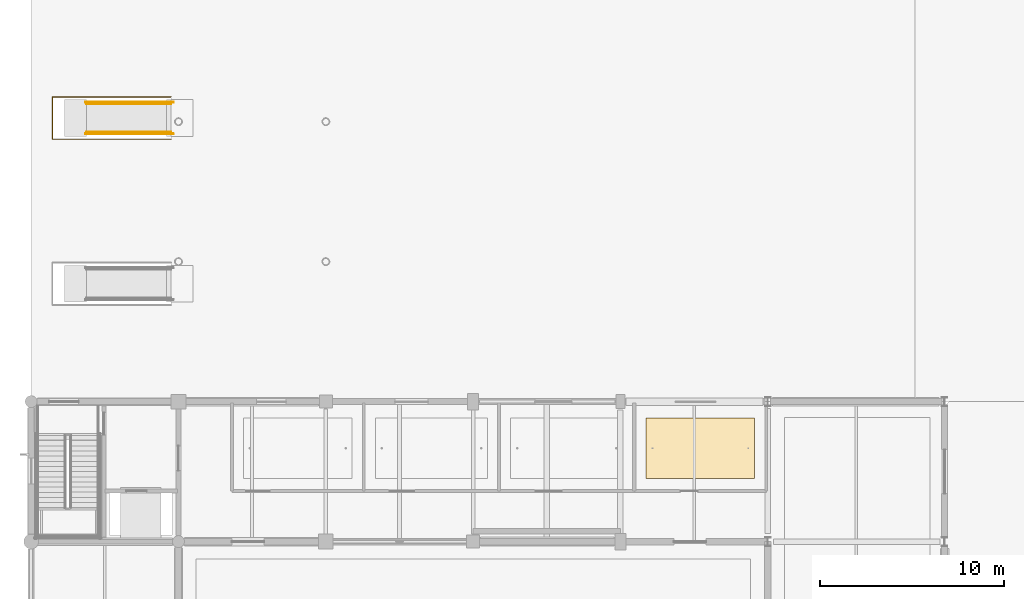
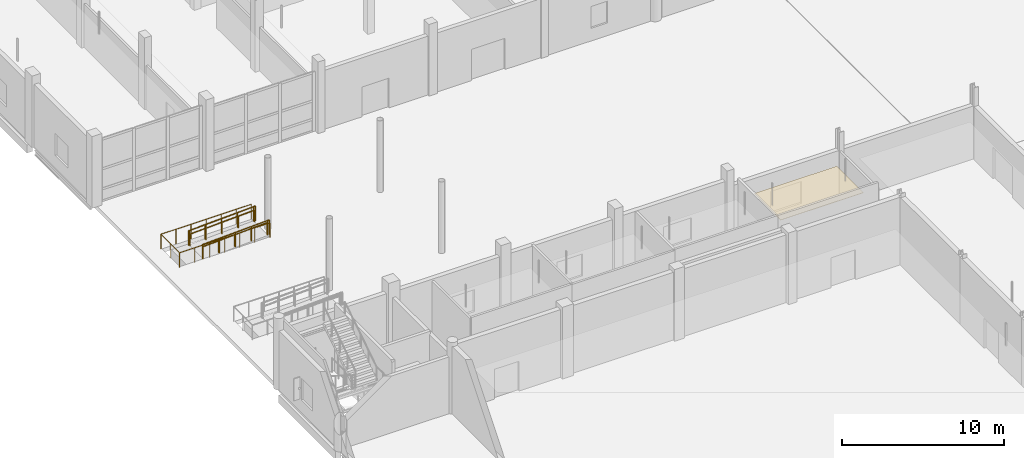
# One storey, part 113 of 126: 5 railings, 1 covering.
"""IFC4 building model written with IfcOpenShell, lengths in metres."""

from ifc_helpers import new_model, si_unit, direction, frame, origin, origin_2d, place, context, subcontext, project, spatial, polyline, circle, outline, extrude, material, layer, layer_set, type_object, element, save


model = new_model("IFC4")

# Units and contexts
model_context = context("Model", 3, precision=1e-05, world=origin(), true_north=direction((0.0, 1.0)))
body_context = subcontext(model_context, "Body", "Model", "MODEL_VIEW")
ifc_project = project(units=[si_unit("LENGTHUNIT", "METRE"), si_unit("AREAUNIT", "SQUARE_METRE"), si_unit("VOLUMEUNIT", "CUBIC_METRE"), si_unit("PLANEANGLEUNIT", "RADIAN"), si_unit("MASSUNIT", "GRAM", prefix="KILO")], contexts=[model_context])

# Site, building, storey
site_placement = place(None, origin())
site = spatial("IfcSite", under=ifc_project, at=site_placement, CompositionType="ELEMENT")
building_placement = place(site_placement, origin())
building = spatial("IfcBuilding", under=site, at=building_placement, Name="Khelvaren Railside Concert Hall", CompositionType="ELEMENT")
storey_placement = place(building_placement, origin())
storey = spatial("IfcBuildingStorey", under=building, at=storey_placement, Name="L00", CompositionType="ELEMENT", Elevation=0.0)

# Covering
ifc_material_1 = material(Name="Micro-perforated timber acoustic ceiling", Category="wood")
ifc_layer = layer(ifc_material_1, 0.030029296875)
ifc_layer_set = layer_set([ifc_layer], Name="Micro-perforated timber acoustic ceiling")
covering_type = type_object("IfcCoveringType", Name="CLG77", PredefinedType="CEILING", material=ifc_layer_set)
covering_placement = place(storey_placement, frame((0.0, 0.0, 3.419921875)))
element("IfcCovering", 1, at=covering_placement, inside=storey, type_object=covering_type, Name="Suspended Acoustic Ceiling Programme Steward Office", PredefinedType="CEILING", context=body_context, shape_type="SweptSolid", body=[
    extrude(outline(polyline([(33.386962890625, 41.429931640625), (39.2900390625, 41.429931640625), (39.2900390625, 44.719970703125), (33.386962890625, 44.719970703125), (33.386962890625, 41.429931640625)])), origin(), (0.0, 0.0, 1.0), 0.030029296875),
])

# Railings
ifc_material_2 = material(Name="Painted architectural steel", Category="steel")
railing_type_1 = type_object("IfcRailingType", Name="GRD40", PredefinedType="GUARDRAIL", material=ifc_material_2)
for number, where, name in (
    (2, (2.949951171875, 61.860107421875, -0.199951171875), "Ramp Edge Guardrail RMP-02-L"),
    (3, (2.949951171875, 60.139892578125, -0.199951171875), "Ramp Edge Guardrail RMP-02-R"),
):
    element("IfcRailing", number, at=place(storey_placement, frame(where)), inside=storey, type_object=railing_type_1, Name=name, PredefinedType="GUARDRAIL", context=body_context, shape_type="SweptSolid", body=[
        extrude(circle(Radius=0.02392578125, at=origin_2d()), frame((0.0, 0.0, 1.09619140625), z_axis=(1.0, 0.0, 0.0), x_axis=(0.0, 1.0, 0.0)), (0.0, 0.0, 1.0), 0.050048828125),
        extrude(circle(Radius=0.02392578125, at=origin_2d()), frame((0.050048828125, 0.0, 1.09619140625), z_axis=(0.999056658504, 0.0, 0.043425719314), x_axis=(0.0, 1.0, 0.0)), (0.0, 0.0, 1.0), 4.6044921875),
        extrude(circle(Radius=0.02392578125, at=origin_2d()), frame((4.650146484375, 0.0, 1.2958984375), z_axis=(1.0, 0.0, 0.0), x_axis=(0.0, 1.0, 0.0)), (0.0, 0.0, 1.0), 0.119873046875),
        extrude(circle(Radius=0.02099609375, at=origin_2d()), origin(), (0.0, 0.0, 1.0), 1.072021484375),
        extrude(circle(Radius=0.02099609375, at=origin_2d()), frame((0.050048828125, 0.0, 0.0)), (0.0, 0.0, 1.0), 1.072021484375),
        extrude(circle(Radius=0.02099609375, at=origin_2d()), frame((1.2001953125, 0.0, 0.050048828125)), (0.0, 0.0, 1.0), 1.072021484375),
        extrude(circle(Radius=0.02099609375, at=origin_2d()), frame((2.35009765625, 0.0, 0.10009765625)), (0.0, 0.0, 1.0), 1.072021484375),
        extrude(circle(Radius=0.02099609375, at=origin_2d()), frame((3.5, 0.0, 0.14990234375)), (0.0, 0.0, 1.0), 1.072021484375),
        extrude(circle(Radius=0.02099609375, at=origin_2d()), frame((4.650146484375, 0.0, 0.199951171875)), (0.0, 0.0, 1.0), 1.072021484375),
        extrude(circle(Radius=0.02099609375, at=origin_2d()), frame((4.77001953125, 0.0, 0.199951171875)), (0.0, 0.0, 1.0), 1.072021484375),
    ])
railing_placement = place(storey_placement, frame((7.60009765625, 59.85009765625, 0.0)))
element("IfcRailing", 4, at=railing_placement, inside=storey, type_object=railing_type_1, Name="Apron Ramp Pocket Guardrail RMP-02", PredefinedType="GUARDRAIL", context=body_context, shape_type="SweptSolid", body=[
    extrude(circle(Radius=0.02392578125, at=origin_2d()), frame((0.0, 0.0, 1.09619140625), z_axis=(-1.0, 0.0, 0.0), x_axis=(0.0, -1.0, 0.0)), (0.0, 0.0, 1.0), 6.4501953125),
    extrude(circle(Radius=0.02392578125, at=origin_2d()), frame((-6.4501953125, 0.0, 1.09619140625), z_axis=(0.0, 1.0, 0.0), x_axis=(-1.0, 0.0, 0.0)), (0.0, 0.0, 1.0), 2.2998046875),
    extrude(circle(Radius=0.02392578125, at=origin_2d()), frame((-6.4501953125, 2.2998046875, 1.09619140625), z_axis=(1.0, 0.0, 0.0), x_axis=(0.0, 1.0, 0.0)), (0.0, 0.0, 1.0), 6.4501953125),
    extrude(circle(Radius=0.02099609375, at=origin_2d()), origin(), (0.0, 0.0, 1.0), 1.072021484375),
    extrude(circle(Radius=0.02099609375, at=origin_2d()), frame((-1.074951171875, 0.0, 0.0)), (0.0, 0.0, 1.0), 1.072021484375),
    extrude(circle(Radius=0.02099609375, at=origin_2d()), frame((-2.150146484375, 0.0, 0.0)), (0.0, 0.0, 1.0), 1.072021484375),
    extrude(circle(Radius=0.02099609375, at=origin_2d()), frame((-3.22509765625, 0.0, 0.0)), (0.0, 0.0, 1.0), 1.072021484375),
    extrude(circle(Radius=0.02099609375, at=origin_2d()), frame((-4.300048828125, 0.0, 0.0)), (0.0, 0.0, 1.0), 1.072021484375),
    extrude(circle(Radius=0.02099609375, at=origin_2d()), frame((-5.375244140625, 0.0, 0.0)), (0.0, 0.0, 1.0), 1.072021484375),
    extrude(circle(Radius=0.02099609375, at=origin_2d()), frame((-6.4501953125, 0.0, 0.0)), (0.0, 0.0, 1.0), 1.072021484375),
    extrude(circle(Radius=0.02099609375, at=origin_2d()), frame((-6.4501953125, 1.14990234375, 0.0)), (0.0, 0.0, 1.0), 1.072021484375),
    extrude(circle(Radius=0.02099609375, at=origin_2d()), frame((-6.4501953125, 2.2998046875, 0.0)), (0.0, 0.0, 1.0), 1.072021484375),
    extrude(circle(Radius=0.02099609375, at=origin_2d()), frame((-5.375244140625, 2.2998046875, 0.0)), (0.0, 0.0, 1.0), 1.072021484375),
    extrude(circle(Radius=0.02099609375, at=origin_2d()), frame((-4.300048828125, 2.2998046875, 0.0)), (0.0, 0.0, 1.0), 1.072021484375),
    extrude(circle(Radius=0.02099609375, at=origin_2d()), frame((-3.22509765625, 2.2998046875, 0.0)), (0.0, 0.0, 1.0), 1.072021484375),
    extrude(circle(Radius=0.02099609375, at=origin_2d()), frame((-2.150146484375, 2.2998046875, 0.0)), (0.0, 0.0, 1.0), 1.072021484375),
    extrude(circle(Radius=0.02099609375, at=origin_2d()), frame((-1.074951171875, 2.2998046875, 0.0)), (0.0, 0.0, 1.0), 1.072021484375),
    extrude(circle(Radius=0.02099609375, at=origin_2d()), frame((0.0, 2.2998046875, 0.0)), (0.0, 0.0, 1.0), 1.072021484375),
])
ifc_material_3 = material(Name="Brushed stainless steel Grade 316", Category="steel")
railing_type_2 = type_object("IfcRailingType", Name="HRL59", PredefinedType="HANDRAIL", material=ifc_material_3)
for number, where, name in (
    (5, (3.0, 61.780029296875, -0.199951171875), "Ramp Handrail RMP-02-L"),
    (6, (3.0, 60.219970703125, -0.199951171875), "Ramp Handrail RMP-02-R"),
):
    element("IfcRailing", number, at=place(storey_placement, frame(where)), inside=storey, type_object=railing_type_2, Name=name, PredefinedType="HANDRAIL", context=body_context, shape_type="SweptSolid", body=[
        extrude(circle(Radius=0.02392578125, at=origin_2d()), frame((0.0, 0.0, 0.8759765625), z_axis=(0.999056658504, 0.0, 0.043425719314), x_axis=(0.0, 1.0, 0.0)), (0.0, 0.0, 1.0), 4.6044921875),
        extrude(circle(Radius=0.02099609375, at=origin_2d()), origin(), (0.0, 0.0, 1.0), 0.851806640625),
        extrude(circle(Radius=0.02099609375, at=origin_2d()), frame((1.14990234375, 0.0, 0.050048828125)), (0.0, 0.0, 1.0), 0.851806640625),
        extrude(circle(Radius=0.02099609375, at=origin_2d()), frame((2.300048828125, 0.0, 0.10009765625)), (0.0, 0.0, 1.0), 0.851806640625),
        extrude(circle(Radius=0.02099609375, at=origin_2d()), frame((3.4501953125, 0.0, 0.14990234375)), (0.0, 0.0, 1.0), 0.851806640625),
        extrude(circle(Radius=0.02099609375, at=origin_2d()), frame((4.60009765625, 0.0, 0.199951171875)), (0.0, 0.0, 1.0), 0.851806640625),
    ])

save(model, "model.ifc")
